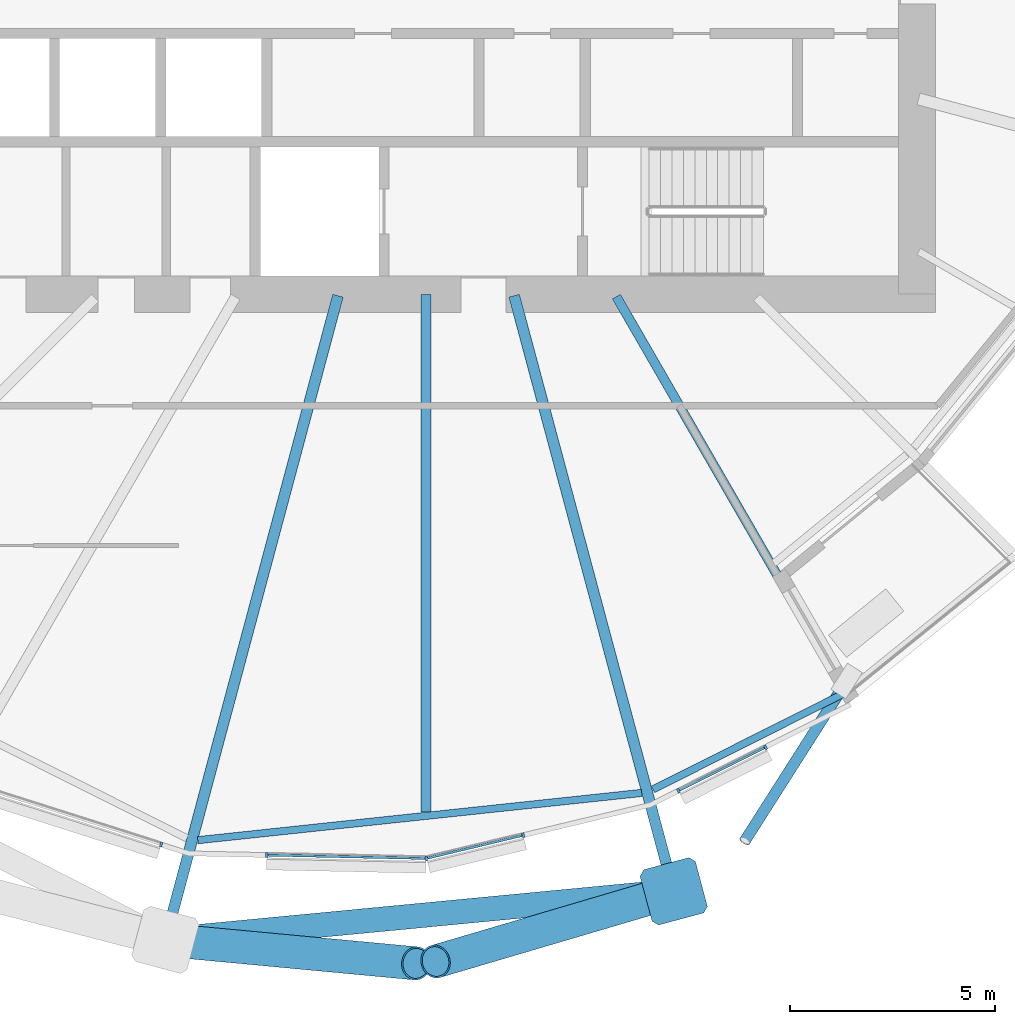
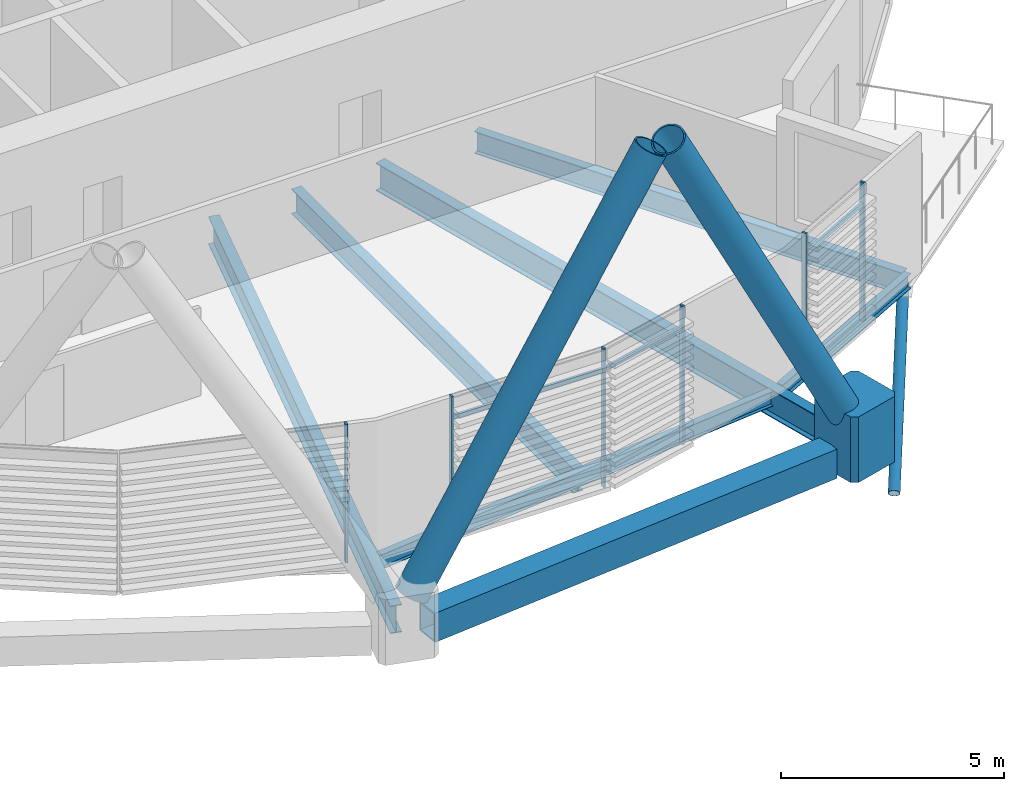
# One storey, part 15 of 40: 13 members, 7 beams, 1 element without a shape of its own.
"""IFC4 building model written with IfcOpenShell, lengths in metres."""

from ifc_helpers import new_model, si_unit, direction, frame, origin, origin_2d, place, context, subcontext, project, spatial, polyline, rectangle, hollow_rectangle, hollow_circle, i_section, outline, extrude, clip, halfspace, material, material_profile, profile_set, type_object, element, aggregate, save


model = new_model("IFC4")

# Units and contexts
model_context = context("Model", 3, precision=1e-05, world=origin(), true_north=direction((0.0, 1.0)))
body_context = subcontext(model_context, "Body", "Model", "MODEL_VIEW")
ifc_project = project(units=[si_unit("LENGTHUNIT", "METRE"), si_unit("AREAUNIT", "SQUARE_METRE"), si_unit("VOLUMEUNIT", "CUBIC_METRE"), si_unit("PLANEANGLEUNIT", "RADIAN"), si_unit("MASSUNIT", "GRAM", prefix="KILO")], contexts=[model_context])

# Site, building, storey
site_placement = place(None, origin())
site = spatial("IfcSite", under=ifc_project, at=site_placement, CompositionType="ELEMENT")
building_placement = place(site_placement, origin())
building = spatial("IfcBuilding", under=site, at=building_placement, Name="Rimbun Link Towers", CompositionType="ELEMENT")
storey_placement = place(building_placement, frame((0.0, 0.0, 52.800048828125)))
storey = spatial("IfcBuildingStorey", under=building, at=storey_placement, Name="L12", CompositionType="ELEMENT", Elevation=52.800048828125)

# Curtain wall, members
ifc_material_1 = material(Name="Aluminium 6063-T6 and low-iron glass", Category="aluminium")
curtain_wall_type = type_object("IfcCurtainWallType", Name="CW1 unitised vision wall", PredefinedType="NOTDEFINED", material=ifc_material_1)
curtain_wall_placement = place(storey_placement, origin())
curtain_wall = element("IfcCurtainWall", 1, at=curtain_wall_placement, inside=storey, type_object=curtain_wall_type, Name="CW1 L12 T2", PredefinedType="NOTDEFINED")
ifc_material_2 = material(Name="Aluminium 6063-T6", Category="aluminium")
ifc_material_profile_1 = material_profile(ifc_material_2, rectangle(XDim=0.1201171875, YDim=0.06005859375, at=origin_2d()), Name="MULLION 60X120")
ifc_profile_set_1 = profile_set([ifc_material_profile_1], Name="Aluminium 6063-T6")
member_type_1 = type_object("IfcMemberType", Name="CW1 mullion 60X120", PredefinedType="MULLION", material=ifc_profile_set_1)
member_1_placement = place(storey_placement, frame((25.27490234375, -21.453369140625, 0.0), z_axis=(0.0, 0.0, 1.0), x_axis=(-0.303073433186, -0.952967205153, 0.0)))
member_1 = element("IfcMember", 2, at=member_1_placement, type_object=member_type_1, Name="CW1 mullion", PredefinedType="MULLION", context=body_context, shape_type="SweptSolid", body=[
    extrude(rectangle(XDim=0.1201171875, YDim=0.06005859375, at=origin_2d()), origin(), (0.0, 0.0, 1.0), 3.800048828125),
])
member_2_placement = place(storey_placement, frame((31.75634765625, -21.7900390625, 0.0), z_axis=(0.0, 0.0, 1.0), x_axis=(0.106639525927, -0.994297747916, 0.0)))
member_2 = element("IfcMember", 3, at=member_2_placement, type_object=member_type_1, Name="CW1 mullion", PredefinedType="MULLION", context=body_context, shape_type="SweptSolid", body=[
    extrude(rectangle(XDim=0.1201171875, YDim=0.06005859375, at=origin_2d()), origin(), (0.0, 0.0, 1.0), 3.800048828125),
])
member_3_placement = place(storey_placement, frame((27.8583984375, -21.708251953125, 0.0), z_axis=(0.0, 0.0, 1.0), x_axis=(-0.02106649948, -0.999778076675, 0.0)))
member_3 = element("IfcMember", 4, at=member_3_placement, type_object=member_type_1, Name="CW1 mullion", PredefinedType="MULLION", context=body_context, shape_type="SweptSolid", body=[
    extrude(rectangle(XDim=0.1201171875, YDim=0.06005859375, at=origin_2d()), origin(), (0.0, 0.0, 1.0), 3.800048828125),
])
member_4_placement = place(storey_placement, frame((34.123779296875, -21.224365234375, 0.0), z_axis=(0.0, 0.0, 1.0), x_axis=(0.232603182737, -0.972571724543, 0.0)))
member_4 = element("IfcMember", 5, at=member_4_placement, type_object=member_type_1, Name="CW1 mullion", PredefinedType="MULLION", context=body_context, shape_type="SweptSolid", body=[
    extrude(rectangle(XDim=0.1201171875, YDim=0.06005859375, at=origin_2d()), origin(), (0.0, 0.0, 1.0), 3.800048828125),
])
member_5_placement = place(storey_placement, frame((40.047119140625, -19.070068359375, 0.0), z_axis=(0.0, 0.0, 1.0), x_axis=(0.448789200311, -0.893637652343, 0.0)))
member_5 = element("IfcMember", 6, at=member_5_placement, type_object=member_type_1, Name="CW1 mullion", PredefinedType="MULLION", context=body_context, shape_type="SweptSolid", body=[
    extrude(rectangle(XDim=0.1201171875, YDim=0.06005859375, at=origin_2d()), origin(), (0.0, 0.0, 1.0), 3.800048828125),
])
member_6_placement = place(storey_placement, frame((37.919189453125, -20.138671875, 0.0), z_axis=(0.0, 0.0, 1.0), x_axis=(0.448789200311, -0.893637652343, 0.0)))
member_6 = element("IfcMember", 7, at=member_6_placement, type_object=member_type_1, Name="CW1 mullion", PredefinedType="MULLION", context=body_context, shape_type="SweptSolid", body=[
    extrude(rectangle(XDim=0.1201171875, YDim=0.06005859375, at=origin_2d()), origin(), (0.0, 0.0, 1.0), 3.800048828125),
])
ifc_material_3 = material(Name="Aluminium 6063-T6", Category="aluminium")
ifc_material_profile_2 = material_profile(ifc_material_3, rectangle(XDim=0.06005859375, YDim=0.1201171875, at=origin_2d()), Name="TRANSOM 60X120")
ifc_profile_set_2 = profile_set([ifc_material_profile_2], Name="Aluminium 6063-T6")
member_type_2 = type_object("IfcMemberType", Name="CW1 transom 60X120", PredefinedType="USERDEFINED", material=ifc_profile_set_2)
member_7_placement = place(storey_placement, frame((31.71875, -21.78759765625, 3.199951171875), z_axis=(-0.999778862049, 0.021029193988, 0.0), x_axis=(-0.021029193988, -0.999778862049, 0.0)))
member_7 = element("IfcMember", 8, at=member_7_placement, type_object=member_type_2, Name="CW1 transom", ObjectType="TRANSOM", PredefinedType="USERDEFINED", context=body_context, shape_type="SweptSolid", body=[
    extrude(rectangle(XDim=0.06005859375, YDim=0.1201171875, at=origin_2d()), origin(), (0.0, 0.0, 1.0), 3.8310546875),
])
member_8_placement = place(storey_placement, frame((34.093994140625, -21.229248046875, 3.199951171875), z_axis=(-0.972556563442, -0.232666565941, 0.0), x_axis=(0.232666565941, -0.972556563442, 0.0)))
member_8 = element("IfcMember", 9, at=member_8_placement, type_object=member_type_2, Name="CW1 transom", ObjectType="TRANSOM", PredefinedType="USERDEFINED", context=body_context, shape_type="SweptSolid", body=[
    extrude(rectangle(XDim=0.06005859375, YDim=0.1201171875, at=origin_2d()), origin(), (0.0, 0.0, 1.0), 2.3662109375),
])
member_9_placement = place(storey_placement, frame((40.019287109375, -19.08154296875, 3.199951171875), z_axis=(-0.893626378825, -0.448811647652, 0.0), x_axis=(0.448811647652, -0.893626378825, 0.0)))
member_9 = element("IfcMember", 10, at=member_9_placement, type_object=member_type_2, Name="CW1 transom", ObjectType="TRANSOM", PredefinedType="USERDEFINED", context=body_context, shape_type="SweptSolid", body=[
    extrude(rectangle(XDim=0.06005859375, YDim=0.1201171875, at=origin_2d()), origin(), (0.0, 0.0, 1.0), 2.321044921875),
])
aggregate(curtain_wall, [member_1, member_2, member_3, member_4, member_5, member_6, member_7, member_8, member_9])

# Members
ifc_material_4 = material(Name="Steel S460NH", Category="steel")
ifc_material_profile_3 = material_profile(ifc_material_4, hollow_circle(Radius=0.406494140625, WallThickness=0.0400390625, at=origin_2d()), Name="Diagrid diagonal CHS 813x40")
ifc_profile_set_3 = profile_set([ifc_material_profile_3], Name="Steel S460NH")
member_type_3 = type_object("IfcMemberType", Name="Diagrid diagonal CHS 813x40", PredefinedType="BRACE", material=ifc_profile_set_3)
member_10_placement = place(storey_placement, frame((25.621337890625, -23.804443359375, 0.43603515625), z_axis=(0.487425904684, -0.045699338087, 0.871967635834), x_axis=(0.093347106217, 0.995633626271, 0.0)))
element("IfcMember", 11, at=member_10_placement, inside=storey, type_object=member_type_3, Name="Diagrid diagonal T2 L12-L15 14b", PredefinedType="BRACE", context=body_context, shape_type="SweptSolid", body=[
    extrude(hollow_circle(Radius=0.406494140625, WallThickness=0.0400390625, at=origin_2d()), origin(), (0.0, 0.0, 1.0), 12.07373046875),
])
member_11_placement = place(storey_placement, frame((37.572021484375, -22.663330078125, 0.437255859375), z_axis=(-0.4646064379, -0.136916341407, 0.874868432004), x_axis=(0.282674377201, -0.959215927971, 0.0)))
element("IfcMember", 12, at=member_11_placement, inside=storey, type_object=member_type_3, Name="Diagrid diagonal T2 L12-L15 16a", PredefinedType="BRACE", context=body_context, shape_type="SweptSolid", body=[
    extrude(hollow_circle(Radius=0.406494140625, WallThickness=0.0400390625, at=origin_2d()), origin(), (0.0, 0.0, 1.0), 12.03076171875),
])
ifc_material_5 = material(Name="Cast steel G20Mn5+QT, Rp0.2 300 MPa", Category="steel")
ifc_material_profile_4 = material_profile(ifc_material_5, outline(polyline([(0.699951171875, -0.570068359375), (0.699951171875, 0.570068359375), (0.570068359375, 0.699951171875), (-0.570068359375, 0.699951171875), (-0.699951171875, 0.570068359375), (-0.699951171875, -0.570068359375), (-0.570068359375, -0.699951171875), (0.570068359375, -0.699951171875), (0.699951171875, -0.570068359375)])), Name="NODE 1400x1400")
ifc_profile_set_4 = profile_set([ifc_material_profile_4], Name="Cast steel G20Mn5+QT, Rp0.2 300 MPa")
member_type_4 = type_object("IfcMemberType", Name="Diagrid node cast 1400", PredefinedType="USERDEFINED", material=ifc_profile_set_4)
member_12_placement = place(storey_placement, frame((37.80419921875, -22.594970703125, -0.900146484375), z_axis=(0.0, 0.0, 1.0), x_axis=(0.258819045103, -0.965925826289, 0.0)))
element("IfcMember", 13, at=member_12_placement, inside=storey, type_object=member_type_4, Name="Diagrid node L12 16", ObjectType="Diagrid node", PredefinedType="USERDEFINED", context=body_context, shape_type="SweptSolid", body=[
    extrude(outline(polyline([(0.699951171875, -0.570068359375), (0.699951171875, 0.570068359375), (0.570068359375, 0.699951171875), (-0.570068359375, 0.699951171875), (-0.699951171875, 0.570068359375), (-0.699951171875, -0.570068359375), (-0.570068359375, -0.699951171875), (0.570068359375, -0.699951171875), (0.699951171875, -0.570068359375)])), origin(), (0.0, 0.0, 1.0), 1.800048828125),
])

# Beam
ifc_material_6 = material(Name="Steel S355J2", Category="steel")
ifc_material_profile_5 = material_profile(ifc_material_6, hollow_rectangle(XDim=0.60009765625, YDim=0.800048828125, WallThickness=0.0400390625, at=origin_2d()), Name="Exoskeleton ring girder BOX 600x800x40")
ifc_profile_set_5 = profile_set([ifc_material_profile_5], Name="Steel S355J2")
beam_type_1 = type_object("IfcBeamType", Name="Exoskeleton ring girder BOX 600x800x40", PredefinedType="BEAM", material=ifc_profile_set_5)
beam_1_placement = place(storey_placement, frame((26.074462890625, -23.715087890625, -0.56005859375), z_axis=(0.995470290933, 0.095073129067, 0.0), x_axis=(-0.095073129067, 0.995470290933, 0.0)))
element("IfcBeam", 14, at=beam_1_placement, inside=storey, type_object=beam_type_1, Name="Exoskeleton ring girder L12 07", PredefinedType="BEAM", context=body_context, shape_type="SweptSolid", body=[
    extrude(hollow_rectangle(XDim=0.60009765625, YDim=0.800048828125, WallThickness=0.0400390625, at=origin_2d()), origin(), (0.0, 0.0, 1.0), 11.083251953125),
])

# Member
ifc_material_7 = material(Name="Steel S355J2H", Category="steel")
ifc_material_profile_6 = material_profile(ifc_material_7, hollow_circle(Radius=0.136474609375, WallThickness=0.012451171875, at=origin_2d()), Name="CHS 273x12.5")
ifc_profile_set_6 = profile_set([ifc_material_profile_6], Name="Steel S355J2H")
member_type_5 = type_object("IfcMemberType", Name="Floor edge link CHS 273x12.5", PredefinedType="BRACE", material=ifc_profile_set_6)
member_13_placement = place(storey_placement, frame((41.923583984375, -17.62109375, -0.884765625), z_axis=(-0.477535229686, -0.75012642503, -0.457460873605), x_axis=(0.843568745461, -0.537021202264, 0.0)))
element("IfcMember", 15, at=member_13_placement, inside=storey, type_object=member_type_5, Name="Floor edge link T2 L12 17", PredefinedType="BRACE", context=body_context, shape_type="Clipping", body=[
    clip(extrude(hollow_circle(Radius=0.136474609375, WallThickness=0.012451171875, at=origin_2d()), frame((0.0, 0.0, -0.552490234375)), (0.0, 0.0, 1.0), 5.551025390625), halfspace(frame((0.0, 0.0, -0.262451171875), z_axis=(0.0, 0.88922975047, -0.457460873605)), False)),
])

# Beams
ifc_material_8 = material(Name="Steel S355J2", Category="steel")
ifc_material_profile_7 = material_profile(ifc_material_8, i_section(OverallWidth=0.177978515625, OverallDepth=0.406494140625, WebThickness=0.0078125, FlangeThickness=0.0126953125, at=origin_2d()), Name="UB 406x178x60")
ifc_profile_set_7 = profile_set([ifc_material_profile_7], Name="Steel S355J2")
beam_type_2 = type_object("IfcBeamType", Name="UB 406x178x60", PredefinedType="BEAM", material=ifc_profile_set_7)
beam_2_placement = place(storey_placement, frame((26.169921875, -21.344482421875, -0.36328125), z_axis=(0.994382301394, 0.105848186925, 0.0), x_axis=(-0.105848186925, 0.994382301394, 0.0)))
element("IfcBeam", 16, at=beam_2_placement, inside=storey, type_object=beam_type_2, Name="Edge beam T2 L12 14-16", PredefinedType="BEAM", context=body_context, shape_type="SweptSolid", body=[
    extrude(i_section(OverallWidth=0.177978515625, OverallDepth=0.406494140625, WebThickness=0.0078125, FlangeThickness=0.0126953125, at=origin_2d()), origin(), (0.0, 0.0, 1.0), 10.912109375),
])
beam_3_placement = place(storey_placement, frame((37.294921875, -20.105224609375, -0.36328125), z_axis=(0.893410867879, 0.449240493673, 0.0), x_axis=(-0.449240493673, 0.893410867879, 0.0)))
element("IfcBeam", 17, at=beam_3_placement, inside=storey, type_object=beam_type_2, Name="Edge beam T2 L12 16", PredefinedType="BEAM", context=body_context, shape_type="SweptSolid", body=[
    extrude(i_section(OverallWidth=0.177978515625, OverallDepth=0.406494140625, WebThickness=0.0078125, FlangeThickness=0.0126953125, at=origin_2d()), origin(), (0.0, 0.0, 1.0), 5.248779296875),
])
ifc_material_9 = material(Name="Steel S355J2", Category="steel")
ifc_material_profile_8 = material_profile(ifc_material_9, i_section(OverallWidth=0.2275390625, OverallDepth=0.6025390625, WebThickness=0.010498046875, FlangeThickness=0.014892578125, at=origin_2d()), Name="UB 610x229x101")
ifc_profile_set_8 = profile_set([ifc_material_profile_8], Name="Steel S355J2")
beam_type_3 = type_object("IfcBeamType", Name="UB 610x229x101", PredefinedType="BEAM", material=ifc_profile_set_8)
beam_4_placement = place(storey_placement, frame((36.402099609375, -8.057861328125, -0.46142578125), z_axis=(0.499997429213, -0.866026888024, 0.0), x_axis=(0.866026888024, 0.499997429213, 0.0)))
element("IfcBeam", 18, at=beam_4_placement, inside=storey, type_object=beam_type_3, Name="Radial beam T2 L12 17", PredefinedType="BEAM", context=body_context, shape_type="SweptSolid", body=[
    extrude(i_section(OverallWidth=0.2275390625, OverallDepth=0.6025390625, WebThickness=0.010498046875, FlangeThickness=0.014892578125, at=origin_2d()), origin(), (0.0, 0.0, 1.0), 11.0927734375),
])
ifc_material_10 = material(Name="Steel S355J2", Category="steel")
ifc_material_profile_9 = material_profile(ifc_material_10, i_section(OverallWidth=0.253662109375, OverallDepth=0.68359375, WebThickness=0.012451171875, FlangeThickness=0.01904296875, at=origin_2d()), Name="UB 686x254x140")
ifc_profile_set_9 = profile_set([ifc_material_profile_9], Name="Steel S355J2")
beam_type_4 = type_object("IfcBeamType", Name="UB 686x254x140", PredefinedType="BEAM", material=ifc_profile_set_9)
beam_5_placement = place(storey_placement, frame((31.75, -8.0009765625, -0.501708984375), z_axis=(0.0, -1.0, 0.0), x_axis=(1.0, 0.0, 0.0)))
element("IfcBeam", 19, at=beam_5_placement, inside=storey, type_object=beam_type_4, Name="Radial beam T2 L12 15", PredefinedType="BEAM", context=body_context, shape_type="SweptSolid", body=[
    extrude(i_section(OverallWidth=0.253662109375, OverallDepth=0.68359375, WebThickness=0.012451171875, FlangeThickness=0.01904296875, at=origin_2d()), origin(), (0.0, 0.0, 1.0), 12.658935546875),
])
ifc_material_11 = material(Name="Steel S355J2", Category="steel")
ifc_material_profile_10 = material_profile(ifc_material_11, i_section(OverallWidth=0.2666015625, OverallDepth=0.76220703125, WebThickness=0.014404296875, FlangeThickness=0.021484375, at=origin_2d()), Name="UB 762x267x173")
ifc_profile_set_10 = profile_set([ifc_material_profile_10], Name="Steel S355J2")
beam_type_5 = type_object("IfcBeamType", Name="UB 762x267x173", PredefinedType="BEAM", material=ifc_profile_set_10)
beam_6_placement = place(storey_placement, frame((29.596923828125, -8.035400390625, -0.541259765625), z_axis=(-0.258824124895, -0.965924465149, 0.0), x_axis=(0.965924465149, -0.258824124895, 0.0)))
element("IfcBeam", 20, at=beam_6_placement, inside=storey, type_object=beam_type_5, Name="Radial beam T2 L12 14", PredefinedType="BEAM", context=body_context, shape_type="SweptSolid", body=[
    extrude(i_section(OverallWidth=0.2666015625, OverallDepth=0.76220703125, WebThickness=0.014404296875, FlangeThickness=0.021484375, at=origin_2d()), origin(), (0.0, 0.0, 1.0), 15.801513671875),
])
beam_7_placement = place(storey_placement, frame((33.903076171875, -8.035400390625, -0.541259765625), z_axis=(0.258816753823, -0.965926440233, 0.0), x_axis=(0.965926440233, 0.258816753823, 0.0)))
element("IfcBeam", 21, at=beam_7_placement, inside=storey, type_object=beam_type_5, Name="Radial beam T2 L12 16", PredefinedType="BEAM", context=body_context, shape_type="SweptSolid", body=[
    extrude(i_section(OverallWidth=0.2666015625, OverallDepth=0.76220703125, WebThickness=0.014404296875, FlangeThickness=0.021484375, at=origin_2d()), origin(), (0.0, 0.0, 1.0), 14.572998046875),
])

save(model, "model.ifc")
